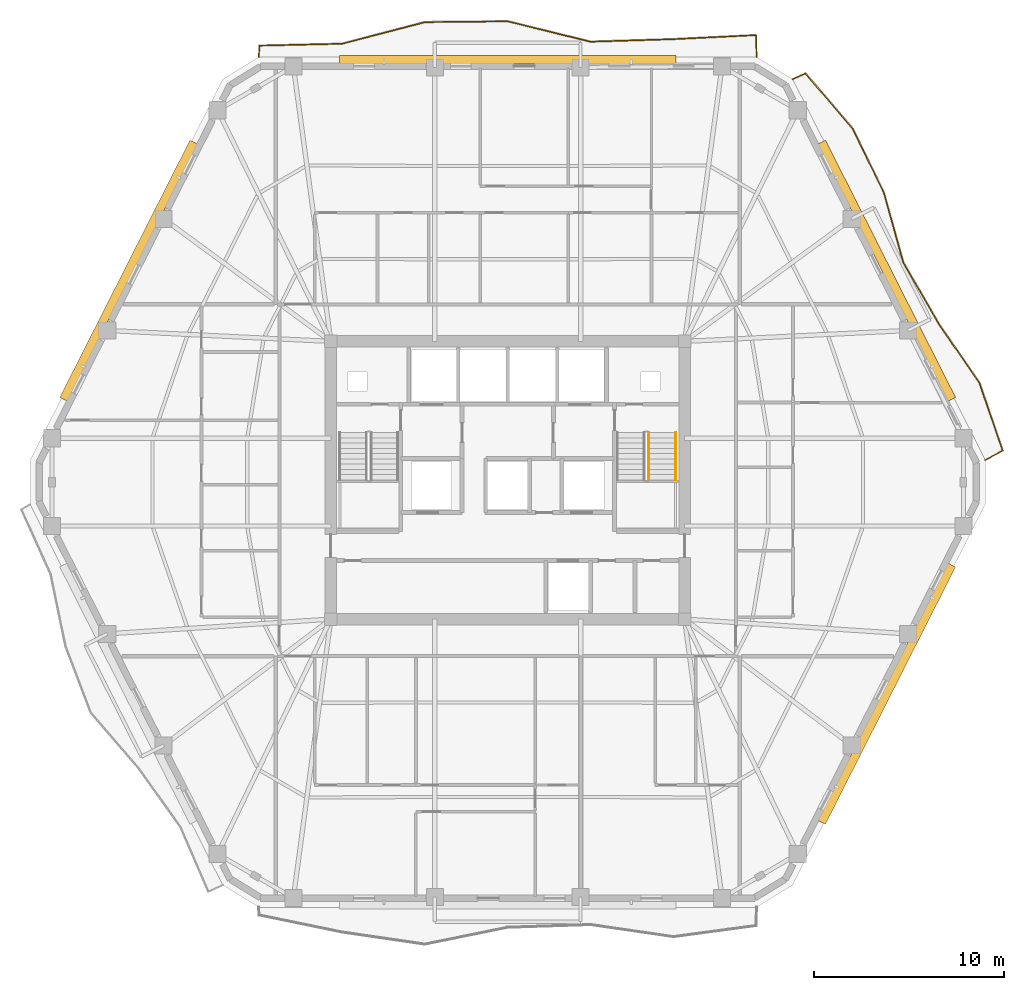
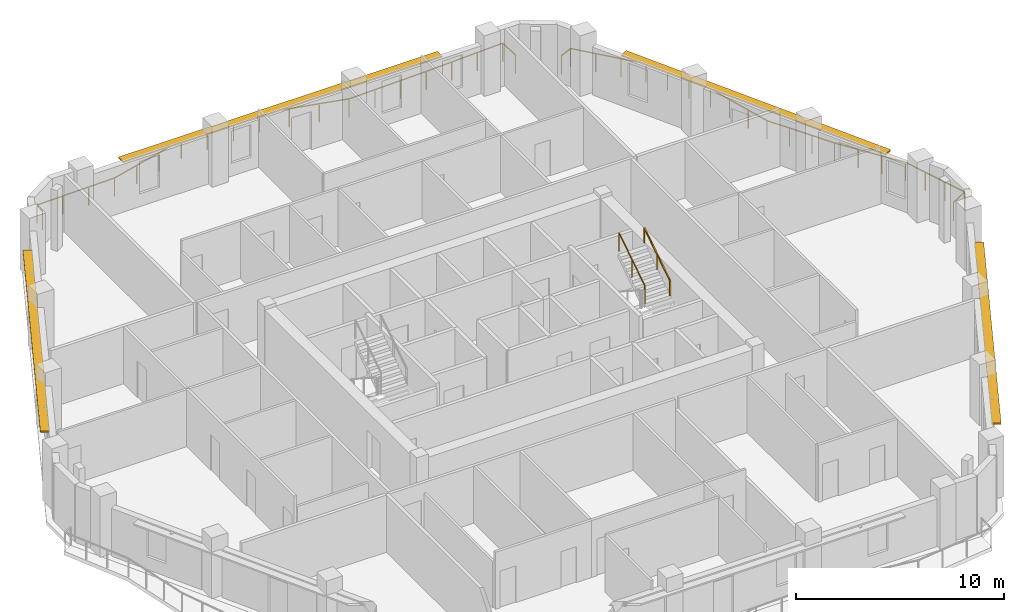
# One storey, part 12 of 12: 4 railings, 4 shading devices.
"""IFC4 building model written with IfcOpenShell, lengths in metres."""

from ifc_helpers import new_model, si_unit, direction, frame, origin, origin_2d, place, context, subcontext, project, spatial, rectangle, extrude, material, layer, layer_set, type_object, element, save


model = new_model("IFC4")

# Units and contexts
model_context = context("Model", 3, precision=1e-05, world=origin(), true_north=direction((0.0, 1.0)))
body_context = subcontext(model_context, "Body", "Model", "MODEL_VIEW")
ifc_project = project(units=[si_unit("LENGTHUNIT", "METRE"), si_unit("AREAUNIT", "SQUARE_METRE"), si_unit("VOLUMEUNIT", "CUBIC_METRE"), si_unit("PLANEANGLEUNIT", "RADIAN"), si_unit("MASSUNIT", "GRAM", prefix="KILO")], contexts=[model_context])

# Site, building, storey
site_placement = place(None, origin())
site = spatial("IfcSite", under=ifc_project, at=site_placement, CompositionType="ELEMENT")
building_placement = place(site_placement, origin())
building = spatial("IfcBuilding", under=site, at=building_placement, Name="Cinnabar Lancet Tower", CompositionType="ELEMENT")
storey_placement = place(building_placement, frame((0.0, 0.0, 157.050048828125)))
storey = spatial("IfcBuildingStorey", under=building, at=storey_placement, Name="L41", CompositionType="ELEMENT", Elevation=157.050048828125)

# Railings
ifc_material_1 = material(Name="Laminated safety glass and bronze stainless steel balustrade", Category="steel")
railing_type_1 = type_object("IfcRailingType", Name="ENV-RLG-BAL-1100", PredefinedType="BALUSTRADE", material=ifc_material_1)
railing_1_placement = place(storey_placement, frame((57.512939453125, 26.9599609375, 0.0)))
element("IfcRailing", 1, at=railing_1_placement, inside=storey, type_object=railing_type_1, Name="L41 Face 3 Wave Balcony Balustrade", PredefinedType="BALUSTRADE", context=body_context, shape_type="SweptSolid", body=[
    extrude(rectangle(XDim=0.048095703125, YDim=0.048095703125, at=origin_2d()), frame((0.0, 0.0, 1.076171875), z_axis=(0.879932997612, 0.475097800157, 0.0), x_axis=(-0.475097800157, 0.879932997612, 0.0)), (0.0, 0.0, 1.0), 1.035400390625),
    extrude(rectangle(XDim=0.048095703125, YDim=0.048095703125, at=origin_2d()), frame((0.9111328125, 0.491943359375, 1.076171875), z_axis=(-0.32375941793, 0.946139439671, 0.0), x_axis=(-0.946139439671, -0.32375941793, 0.0)), (0.0, 0.0, 1.0), 3.76806640625),
    extrude(rectangle(XDim=0.048095703125, YDim=0.048095703125, at=origin_2d()), frame((-0.308837890625, 4.05712890625, 1.076171875), z_axis=(-0.567499637709, 0.823373646166, 0.0), x_axis=(-0.823373646166, -0.567499637709, 0.0)), (0.0, 0.0, 1.0), 3.76611328125),
    extrude(rectangle(XDim=0.048095703125, YDim=0.048095703125, at=origin_2d()), frame((-2.446044921875, 7.157958984375, 1.076171875), z_axis=(-0.500026055714, 0.866010359988, 0.0), x_axis=(-0.866010359988, -0.500026055714, 0.0)), (0.0, 0.0, 1.0), 3.735595703125),
    extrude(rectangle(XDim=0.048095703125, YDim=0.048095703125, at=origin_2d()), frame((-4.31396484375, 10.39306640625, 1.076171875), z_axis=(-0.268425040282, 0.963300574976, 0.0), x_axis=(-0.963300574976, -0.268425040282, 0.0)), (0.0, 0.0, 1.0), 3.8037109375),
    extrude(rectangle(XDim=0.048095703125, YDim=0.048095703125, at=origin_2d()), frame((-5.3349609375, 14.05712890625, 1.076171875), z_axis=(-0.436876748239, 0.899521376538, 0.0), x_axis=(-0.899521376538, -0.436876748239, 0.0)), (0.0, 0.0, 1.0), 3.73291015625),
    extrude(rectangle(XDim=0.048095703125, YDim=0.048095703125, at=origin_2d()), frame((-6.9658203125, 17.4150390625, 1.076171875), z_axis=(-0.649764559395, 0.760135525649, 0.0), x_axis=(-0.760135525649, -0.649764559395, 0.0)), (0.0, 0.0, 1.0), 3.840087890625),
    extrude(rectangle(XDim=0.048095703125, YDim=0.048095703125, at=origin_2d()), frame((-9.4609375, 20.333984375, 1.076171875), z_axis=(-0.911382599234, -0.411560150905, 0.0), x_axis=(0.411560150905, -0.911382599234, 0.0)), (0.0, 0.0, 1.0), 0.738525390625),
    extrude(rectangle(XDim=0.0419921875, YDim=0.0419921875, at=origin_2d()), origin(), (0.0, 0.0, 1.0), 1.052001953125),
    extrude(rectangle(XDim=0.0419921875, YDim=0.0419921875, at=origin_2d()), frame((0.9111328125, 0.491943359375, 0.0)), (0.0, 0.0, 1.0), 1.052001953125),
    extrude(rectangle(XDim=0.0419921875, YDim=0.0419921875, at=origin_2d()), frame((0.50439453125, 1.680419921875, 0.0)), (0.0, 0.0, 1.0), 1.052001953125),
    extrude(rectangle(XDim=0.0419921875, YDim=0.0419921875, at=origin_2d()), frame((0.097900390625, 2.86865234375, 0.0)), (0.0, 0.0, 1.0), 1.052001953125),
    extrude(rectangle(XDim=0.0419921875, YDim=0.0419921875, at=origin_2d()), frame((-0.308837890625, 4.05712890625, 0.0)), (0.0, 0.0, 1.0), 1.052001953125),
    extrude(rectangle(XDim=0.0419921875, YDim=0.0419921875, at=origin_2d()), frame((-1.021240234375, 5.0908203125, 0.0)), (0.0, 0.0, 1.0), 1.052001953125),
    extrude(rectangle(XDim=0.0419921875, YDim=0.0419921875, at=origin_2d()), frame((-1.733642578125, 6.124267578125, 0.0)), (0.0, 0.0, 1.0), 1.052001953125),
    extrude(rectangle(XDim=0.0419921875, YDim=0.0419921875, at=origin_2d()), frame((-2.446044921875, 7.157958984375, 0.0)), (0.0, 0.0, 1.0), 1.052001953125),
    extrude(rectangle(XDim=0.0419921875, YDim=0.0419921875, at=origin_2d()), frame((-3.068603515625, 8.236328125, 0.0)), (0.0, 0.0, 1.0), 1.052001953125),
    extrude(rectangle(XDim=0.0419921875, YDim=0.0419921875, at=origin_2d()), frame((-3.69140625, 9.314697265625, 0.0)), (0.0, 0.0, 1.0), 1.052001953125),
    extrude(rectangle(XDim=0.0419921875, YDim=0.0419921875, at=origin_2d()), frame((-4.31396484375, 10.39306640625, 0.0)), (0.0, 0.0, 1.0), 1.052001953125),
    extrude(rectangle(XDim=0.0419921875, YDim=0.0419921875, at=origin_2d()), frame((-4.654296875, 11.614501953125, 0.0)), (0.0, 0.0, 1.0), 1.052001953125),
    extrude(rectangle(XDim=0.0419921875, YDim=0.0419921875, at=origin_2d()), frame((-4.99462890625, 12.835693359375, 0.0)), (0.0, 0.0, 1.0), 1.052001953125),
    extrude(rectangle(XDim=0.0419921875, YDim=0.0419921875, at=origin_2d()), frame((-5.3349609375, 14.05712890625, 0.0)), (0.0, 0.0, 1.0), 1.052001953125),
    extrude(rectangle(XDim=0.0419921875, YDim=0.0419921875, at=origin_2d()), frame((-5.878662109375, 15.176513671875, 0.0)), (0.0, 0.0, 1.0), 1.052001953125),
    extrude(rectangle(XDim=0.0419921875, YDim=0.0419921875, at=origin_2d()), frame((-6.422119140625, 16.295654296875, 0.0)), (0.0, 0.0, 1.0), 1.052001953125),
    extrude(rectangle(XDim=0.0419921875, YDim=0.0419921875, at=origin_2d()), frame((-6.9658203125, 17.4150390625, 0.0)), (0.0, 0.0, 1.0), 1.052001953125),
    extrude(rectangle(XDim=0.0419921875, YDim=0.0419921875, at=origin_2d()), frame((-7.797607421875, 18.387939453125, 0.0)), (0.0, 0.0, 1.0), 1.052001953125),
    extrude(rectangle(XDim=0.0419921875, YDim=0.0419921875, at=origin_2d()), frame((-8.629150390625, 19.361083984375, 0.0)), (0.0, 0.0, 1.0), 1.052001953125),
    extrude(rectangle(XDim=0.0419921875, YDim=0.0419921875, at=origin_2d()), frame((-9.4609375, 20.333984375, 0.0)), (0.0, 0.0, 1.0), 1.052001953125),
    extrude(rectangle(XDim=0.0419921875, YDim=0.0419921875, at=origin_2d()), frame((-10.134033203125, 20.030029296875, 0.0)), (0.0, 0.0, 1.0), 1.052001953125),
])
railing_2_placement = place(storey_placement, frame((45.491943359375, 48.14990234375, 0.0)))
element("IfcRailing", 2, at=railing_2_placement, inside=storey, type_object=railing_type_1, Name="L41 Face 4 Wave Balcony Balustrade", PredefinedType="BALUSTRADE", context=body_context, shape_type="SweptSolid", body=[
    extrude(rectangle(XDim=0.048095703125, YDim=0.048095703125, at=origin_2d()), frame((0.0, 0.0, 1.076171875), z_axis=(-0.029343219833, 0.999569395015, 0.0), x_axis=(-0.999569395015, -0.029343219833, 0.0)), (0.0, 0.0, 1.0), 1.156494140625),
    extrude(rectangle(XDim=0.048095703125, YDim=0.048095703125, at=origin_2d()), frame((-0.033935546875, 1.156005859375, 1.076171875), z_axis=(-0.998796347182, -0.049049534709, 0.0), x_axis=(0.049049534709, -0.998796347182, 0.0)), (0.0, 0.0, 1.0), 4.360107421875),
    extrude(rectangle(XDim=0.048095703125, YDim=0.048095703125, at=origin_2d()), frame((-4.388916015625, 0.942138671875, 1.076171875), z_axis=(-0.999526087595, -0.030783115791, 0.0), x_axis=(0.030783115791, -0.999526087595, 0.0)), (0.0, 0.0, 1.0), 4.35400390625),
    extrude(rectangle(XDim=0.048095703125, YDim=0.048095703125, at=origin_2d()), frame((-8.740966796875, 0.80810546875, 1.076171875), z_axis=(-0.971014295305, 0.239021418107, 0.0), x_axis=(-0.239021418107, -0.971014295305, 0.0)), (0.0, 0.0, 1.0), 4.48095703125),
    extrude(rectangle(XDim=0.048095703125, YDim=0.048095703125, at=origin_2d()), frame((-13.092041015625, 1.879150390625, 1.076171875), z_axis=(-0.999953448091, -0.009648919667, 0.0), x_axis=(0.009648919667, -0.999953448091, 0.0)), (0.0, 0.0, 1.0), 4.35205078125),
    extrude(rectangle(XDim=0.048095703125, YDim=0.048095703125, at=origin_2d()), frame((-17.44384765625, 1.837158203125, 1.076171875), z_axis=(-0.967620155179, -0.252410846225, 0.0), x_axis=(0.252410846225, -0.967620155179, 0.0)), (0.0, 0.0, 1.0), 4.49658203125),
    extrude(rectangle(XDim=0.048095703125, YDim=0.048095703125, at=origin_2d()), frame((-21.794921875, 0.7021484375, 1.076171875), z_axis=(-0.999735839376, -0.022983721775, 0.0), x_axis=(0.022983721775, -0.999735839376, 0.0)), (0.0, 0.0, 1.0), 4.355224609375),
    extrude(rectangle(XDim=0.048095703125, YDim=0.048095703125, at=origin_2d()), frame((-26.14892578125, 0.60205078125, 1.076171875), z_axis=(-0.057891392069, -0.998322887008, 0.0), x_axis=(0.998322887008, -0.057891392069, 0.0)), (0.0, 0.0, 1.0), 0.60302734375),
    extrude(rectangle(XDim=0.0419921875, YDim=0.0419921875, at=origin_2d()), origin(), (0.0, 0.0, 1.0), 1.052001953125),
    extrude(rectangle(XDim=0.0419921875, YDim=0.0419921875, at=origin_2d()), frame((-0.033935546875, 1.156005859375, 0.0)), (0.0, 0.0, 1.0), 1.052001953125),
    extrude(rectangle(XDim=0.0419921875, YDim=0.0419921875, at=origin_2d()), frame((-1.485595703125, 1.084716796875, 0.0)), (0.0, 0.0, 1.0), 1.052001953125),
    extrude(rectangle(XDim=0.0419921875, YDim=0.0419921875, at=origin_2d()), frame((-2.937255859375, 1.013427734375, 0.0)), (0.0, 0.0, 1.0), 1.052001953125),
    extrude(rectangle(XDim=0.0419921875, YDim=0.0419921875, at=origin_2d()), frame((-4.388916015625, 0.942138671875, 0.0)), (0.0, 0.0, 1.0), 1.052001953125),
    extrude(rectangle(XDim=0.0419921875, YDim=0.0419921875, at=origin_2d()), frame((-5.839599609375, 0.8974609375, 0.0)), (0.0, 0.0, 1.0), 1.052001953125),
    extrude(rectangle(XDim=0.0419921875, YDim=0.0419921875, at=origin_2d()), frame((-7.290283203125, 0.852783203125, 0.0)), (0.0, 0.0, 1.0), 1.052001953125),
    extrude(rectangle(XDim=0.0419921875, YDim=0.0419921875, at=origin_2d()), frame((-8.740966796875, 0.80810546875, 0.0)), (0.0, 0.0, 1.0), 1.052001953125),
    extrude(rectangle(XDim=0.0419921875, YDim=0.0419921875, at=origin_2d()), frame((-10.19140625, 1.1650390625, 0.0)), (0.0, 0.0, 1.0), 1.052001953125),
    extrude(rectangle(XDim=0.0419921875, YDim=0.0419921875, at=origin_2d()), frame((-11.6416015625, 1.522216796875, 0.0)), (0.0, 0.0, 1.0), 1.052001953125),
    extrude(rectangle(XDim=0.0419921875, YDim=0.0419921875, at=origin_2d()), frame((-13.092041015625, 1.879150390625, 0.0)), (0.0, 0.0, 1.0), 1.052001953125),
    extrude(rectangle(XDim=0.0419921875, YDim=0.0419921875, at=origin_2d()), frame((-14.542724609375, 1.865234375, 0.0)), (0.0, 0.0, 1.0), 1.052001953125),
    extrude(rectangle(XDim=0.0419921875, YDim=0.0419921875, at=origin_2d()), frame((-15.9931640625, 1.85107421875, 0.0)), (0.0, 0.0, 1.0), 1.052001953125),
    extrude(rectangle(XDim=0.0419921875, YDim=0.0419921875, at=origin_2d()), frame((-17.44384765625, 1.837158203125, 0.0)), (0.0, 0.0, 1.0), 1.052001953125),
    extrude(rectangle(XDim=0.0419921875, YDim=0.0419921875, at=origin_2d()), frame((-18.894287109375, 1.458740234375, 0.0)), (0.0, 0.0, 1.0), 1.052001953125),
    extrude(rectangle(XDim=0.0419921875, YDim=0.0419921875, at=origin_2d()), frame((-20.344482421875, 1.08056640625, 0.0)), (0.0, 0.0, 1.0), 1.052001953125),
    extrude(rectangle(XDim=0.0419921875, YDim=0.0419921875, at=origin_2d()), frame((-21.794921875, 0.7021484375, 0.0)), (0.0, 0.0, 1.0), 1.052001953125),
    extrude(rectangle(XDim=0.0419921875, YDim=0.0419921875, at=origin_2d()), frame((-23.246337890625, 0.668701171875, 0.0)), (0.0, 0.0, 1.0), 1.052001953125),
    extrude(rectangle(XDim=0.0419921875, YDim=0.0419921875, at=origin_2d()), frame((-24.697509765625, 0.635498046875, 0.0)), (0.0, 0.0, 1.0), 1.052001953125),
    extrude(rectangle(XDim=0.0419921875, YDim=0.0419921875, at=origin_2d()), frame((-26.14892578125, 0.60205078125, 0.0)), (0.0, 0.0, 1.0), 1.052001953125),
    extrude(rectangle(XDim=0.0419921875, YDim=0.0419921875, at=origin_2d()), frame((-26.183837890625, 0.0, 0.0)), (0.0, 0.0, 1.0), 1.052001953125),
])

# Shading devices
ifc_material_2 = material(Name="Pale limestone architectural aluminium sunshade", Category="masonry")
ifc_layer = layer(ifc_material_2, 0.080078125)
ifc_layer_set = layer_set([ifc_layer], Name="Pale limestone architectural aluminium sunshade")
shading_device_type = type_object("IfcShadingDeviceType", Name="ENV-SHD-LVR-450", PredefinedType="JALOUSIE", material=ifc_layer_set)
for number, where, z_axis, x_axis, name in (
    (3, (52.327880859375, 14.680908203125, 2.639892578125), (0.0, 0.0, 1.0), (0.451453853408, 0.892294468347, 0.0), "L41 Face 2 Horizontal Sunshade Canopy"),
    (4, (52.327880859375, 36.9189453125, 2.639892578125), (0.0, 0.0, 1.0), (-0.451453853408, 0.892294468347, 0.0), "L41 Face 3 Horizontal Sunshade Canopy"),
):
    element("IfcShadingDevice", number, at=place(storey_placement, frame(where, z_axis=z_axis, x_axis=x_axis)), inside=storey, type_object=shading_device_type, Name=name, PredefinedType="JALOUSIE", context=body_context, shape_type="SweptSolid", body=[
        extrude(rectangle(XDim=15.156982421875, YDim=0.449951171875, at=origin_2d()), origin(), (0.0, 0.0, 1.0), 0.080078125),
    ])
shading_device_1_placement = place(storey_placement, frame((32.39990234375, 48.02001953125, 2.639892578125), z_axis=(0.0, 0.0, 1.0), x_axis=(-1.0, 0.0, 0.0)))
element("IfcShadingDevice", 5, at=shading_device_1_placement, inside=storey, type_object=shading_device_type, Name="L41 Face 4 Horizontal Sunshade Canopy", PredefinedType="JALOUSIE", context=body_context, shape_type="SweptSolid", body=[
    extrude(rectangle(XDim=17.68310546875, YDim=0.449951171875, at=origin_2d()), origin(), (0.0, 0.0, 1.0), 0.080078125),
])
shading_device_2_placement = place(storey_placement, frame((12.471923828125, 36.9189453125, 2.639892578125), z_axis=(0.0, 0.0, 1.0), x_axis=(-0.451453853408, -0.892294468347, 0.0)))
element("IfcShadingDevice", 6, at=shading_device_2_placement, inside=storey, type_object=shading_device_type, Name="L41 Face 5 Horizontal Sunshade Canopy", PredefinedType="JALOUSIE", context=body_context, shape_type="SweptSolid", body=[
    extrude(rectangle(XDim=15.156982421875, YDim=0.449951171875, at=origin_2d()), origin(), (0.0, 0.0, 1.0), 0.080078125),
])

# Railings
ifc_material_3 = material(Name="Painted galvanized steel balustrade", Category="steel")
railing_type_2 = type_object("IfcRailingType", Name="GUARD-STAIR", PredefinedType="GUARDRAIL", material=ifc_material_3)
railing_3_placement = place(storey_placement, frame((39.824951171875, 25.925048828125, 1.952392578125)))
element("IfcRailing", 7, at=railing_3_placement, inside=storey, type_object=railing_type_2, Name="L41 ST-2 stair guard 3", PredefinedType="GUARDRAIL", context=body_context, shape_type="SweptSolid", body=[
    extrude(rectangle(XDim=0.048095703125, YDim=0.048095703125, at=origin_2d()), frame((0.0, 0.0, 1.076171875), z_axis=(0.0, 0.84014559416, 0.542360932049), x_axis=(-1.0, 0.0, 0.0)), (0.0, 0.0, 1.0), 2.94580078125),
    extrude(rectangle(XDim=0.0419921875, YDim=0.0419921875, at=origin_2d()), origin(), (0.0, 0.0, 1.0), 1.052001953125),
    extrude(rectangle(XDim=0.0419921875, YDim=0.0419921875, at=origin_2d()), frame((0.0, 1.2373046875, 0.798828125)), (0.0, 0.0, 1.0), 1.052001953125),
    extrude(rectangle(XDim=0.0419921875, YDim=0.0419921875, at=origin_2d()), frame((0.0, 2.474853515625, 1.59765625)), (0.0, 0.0, 1.0), 1.052001953125),
])
ifc_material_4 = material(Name="Brushed stainless steel handrail", Category="steel")
railing_type_3 = type_object("IfcRailingType", Name="HANDRAIL-STAIR", PredefinedType="HANDRAIL", material=ifc_material_4)
railing_4_placement = place(storey_placement, frame((41.22509765625, 25.925048828125, 1.952392578125)))
element("IfcRailing", 8, at=railing_4_placement, inside=storey, type_object=railing_type_3, Name="L41 ST-2 stair handrail 2", PredefinedType="HANDRAIL", context=body_context, shape_type="SweptSolid", body=[
    extrude(rectangle(XDim=0.048095703125, YDim=0.048095703125, at=origin_2d()), frame((0.0, 0.0, 0.8759765625), z_axis=(0.0, 0.84014559416, 0.542360932049), x_axis=(-1.0, 0.0, 0.0)), (0.0, 0.0, 1.0), 2.94580078125),
    extrude(rectangle(XDim=0.0419921875, YDim=0.0419921875, at=origin_2d()), origin(), (0.0, 0.0, 1.0), 0.851806640625),
    extrude(rectangle(XDim=0.0419921875, YDim=0.0419921875, at=origin_2d()), frame((0.0, 1.2373046875, 0.798828125)), (0.0, 0.0, 1.0), 0.851806640625),
    extrude(rectangle(XDim=0.0419921875, YDim=0.0419921875, at=origin_2d()), frame((0.0, 2.474853515625, 1.59765625)), (0.0, 0.0, 1.0), 0.851806640625),
])

save(model, "model.ifc")
